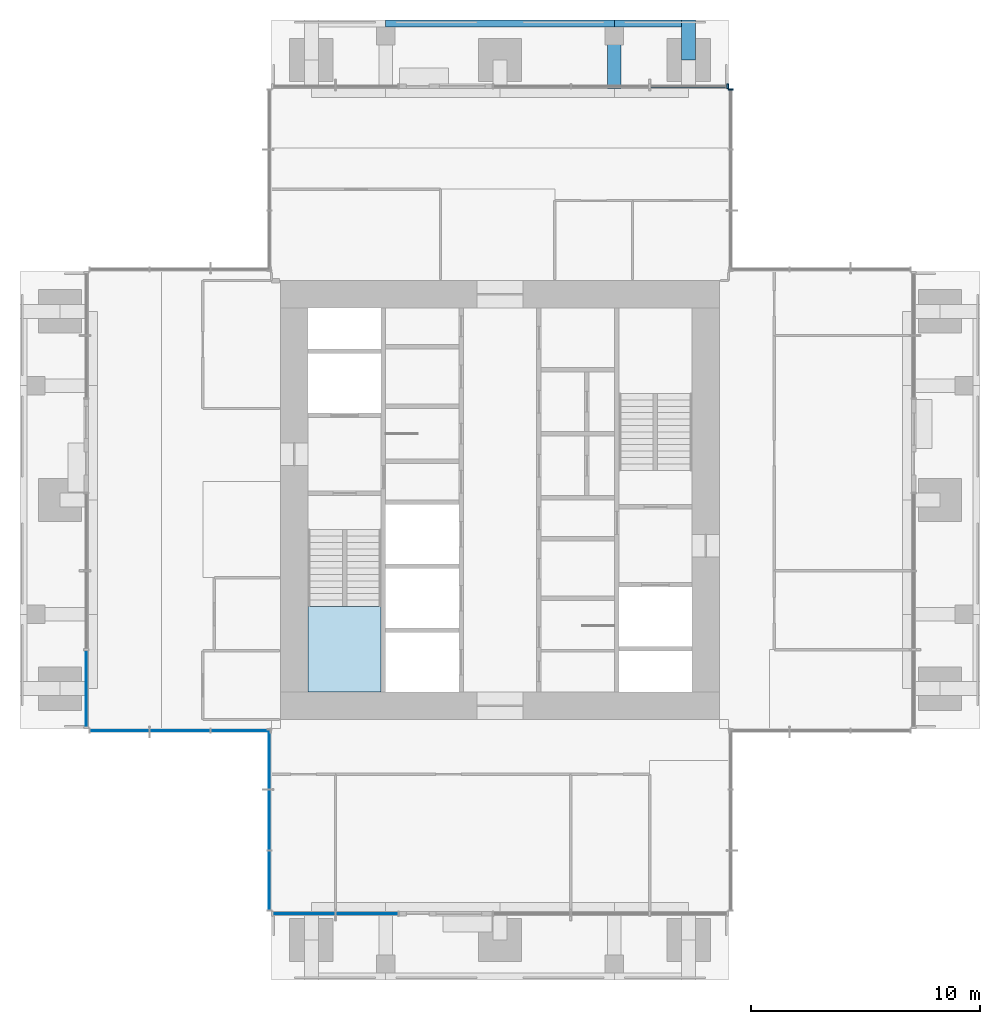
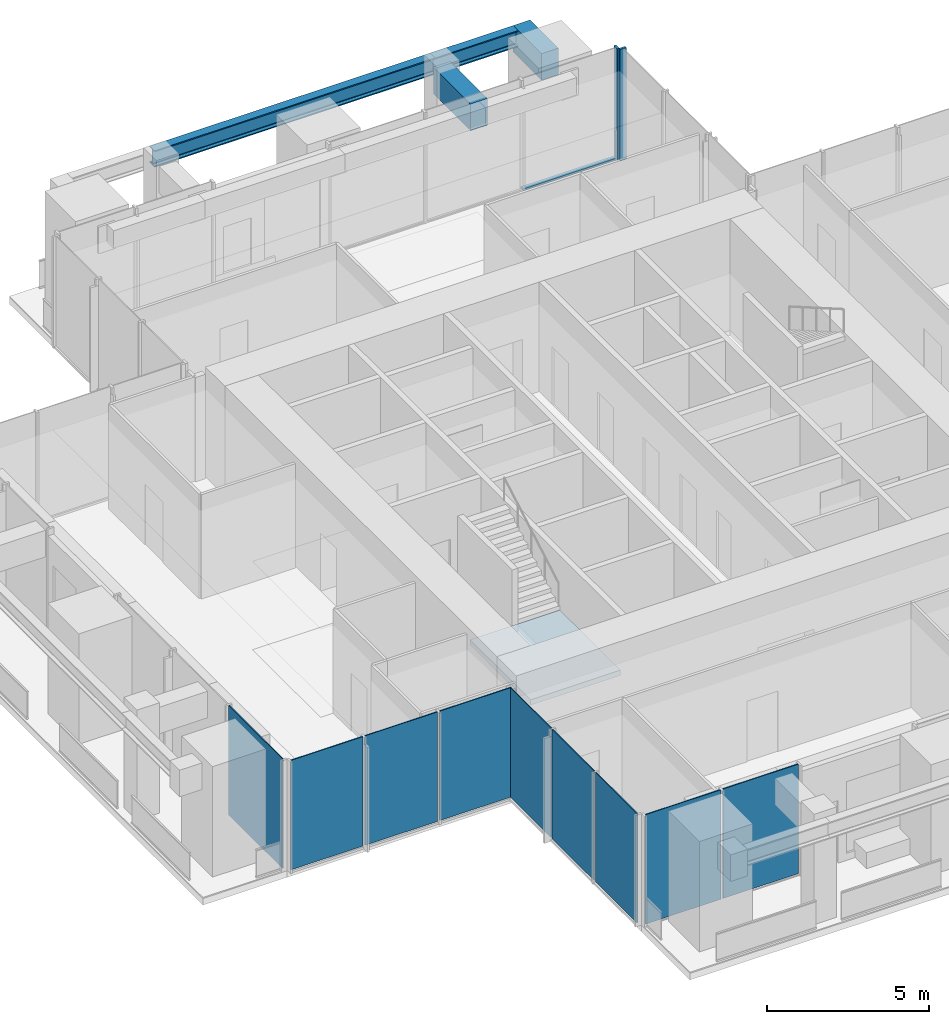
# One storey, part 5 of 12: 9 plates, 4 beams, 3 members, 1 slab, 7 elements without a shape of their own.
"""IFC4 building model written with IfcOpenShell, lengths in metres."""

from ifc_helpers import new_model, si_unit, direction, frame, origin, origin_2d, place, context, subcontext, project, spatial, polyline, rectangle, i_section, outline, extrude, material, layer, layer_set, material_profile, profile_set, type_object, element, aggregate, save


model = new_model("IFC4")

# Units and contexts
model_context = context("Model", 3, precision=1e-05, world=origin(), true_north=direction((0.0, 1.0)))
body_context = subcontext(model_context, "Body", "Model", "MODEL_VIEW")
ifc_project = project(units=[si_unit("LENGTHUNIT", "METRE"), si_unit("AREAUNIT", "SQUARE_METRE"), si_unit("VOLUMEUNIT", "CUBIC_METRE"), si_unit("PLANEANGLEUNIT", "RADIAN"), si_unit("MASSUNIT", "GRAM", prefix="KILO")], contexts=[model_context])

# Site, building, storey
site_placement = place(None, origin())
site = spatial("IfcSite", under=ifc_project, at=site_placement, CompositionType="ELEMENT")
building_placement = place(site_placement, origin())
building = spatial("IfcBuilding", under=site, at=building_placement, Name="Svetlomir Tower", CompositionType="ELEMENT")
storey_placement = place(building_placement, frame((0.0, 0.0, 248.199951171875)))
storey = spatial("IfcBuildingStorey", under=building, at=storey_placement, Name="L59", CompositionType="ELEMENT", Elevation=248.199951171875)

# Curtain wall, member
ifc_material_1 = material(Name="Bronze anodised aluminium curtain wall", Category="aluminium")
curtain_wall_type = type_object("IfcCurtainWallType", Name="CURTAIN WALL CW4 EXECUTIVE", PredefinedType="NOTDEFINED", material=ifc_material_1)
curtain_wall_1_placement = place(storey_placement, origin())
curtain_wall_1 = element("IfcCurtainWall", 1, at=curtain_wall_1_placement, inside=storey, type_object=curtain_wall_type, Name="Curtain wall CW4 L59", PredefinedType="NOTDEFINED")
ifc_material_2 = material(Name="Bronze anodised aluminium", Category="aluminium")
ifc_material_profile_1 = material_profile(ifc_material_2, rectangle(XDim=0.074951171875, YDim=0.219970703125, at=origin_2d()), Name="AL 75x220")
ifc_profile_set_1 = profile_set([ifc_material_profile_1], Name="Bronze anodised aluminium 6063-T6")
member_type_1 = type_object("IfcMemberType", Name="CW4 MULLION 75x220", PredefinedType="MULLION", material=ifc_profile_set_1)
member_1_placement = place(storey_placement, frame((31.10009765625, 38.96240234375, 0.0), z_axis=(0.0, 0.0, 1.0), x_axis=(0.0, 1.0, 0.0)))
member_1 = element("IfcMember", 2, at=member_1_placement, type_object=member_type_1, Name="CW4 mullion 4", PredefinedType="MULLION", context=body_context, shape_type="SweptSolid", body=[
    extrude(rectangle(XDim=0.074951171875, YDim=0.219970703125, at=origin_2d()), origin(), (0.0, 0.0, 1.0), 4.199951171875),
])
aggregate(curtain_wall_1, [member_1])

# Curtain wall, members
curtain_wall_2_placement = place(storey_placement, origin())
curtain_wall_2 = element("IfcCurtainWall", 3, at=curtain_wall_2_placement, inside=storey, type_object=curtain_wall_type, Name="Curtain wall CW4 L59", PredefinedType="NOTDEFINED")
member_2_placement = place(storey_placement, frame((30.96240234375, 39.10009765625, 0.0), z_axis=(0.0, 0.0, 1.0), x_axis=(-1.0, 0.0, 0.0)))
member_2 = element("IfcMember", 4, at=member_2_placement, type_object=member_type_1, Name="CW4 mullion 1", PredefinedType="MULLION", context=body_context, shape_type="SweptSolid", body=[
    extrude(rectangle(XDim=0.074951171875, YDim=0.219970703125, at=origin_2d()), origin(), (0.0, 0.0, 1.0), 4.199951171875),
])
ifc_material_3 = material(Name="Bronze anodised aluminium", Category="aluminium")
ifc_material_profile_2 = material_profile(ifc_material_3, rectangle(XDim=0.14990234375, YDim=0.074951171875, at=origin_2d()), Name="AL 150x75")
ifc_profile_set_2 = profile_set([ifc_material_profile_2], Name="Bronze anodised aluminium 6063-T6")
member_type_2 = type_object("IfcMemberType", Name="CW4 TRANSOM 75x150", PredefinedType="USERDEFINED", material=ifc_profile_set_2)
member_3_placement = place(storey_placement, frame((30.925048828125, 39.10009765625, 0.03759765625), z_axis=(-1.0, 0.0, 0.0), x_axis=(0.0, -1.0, 0.0)))
member_3 = element("IfcMember", 5, at=member_3_placement, type_object=member_type_2, Name="CW4 transom 1.1", ObjectType="TRANSOM", PredefinedType="USERDEFINED", context=body_context, shape_type="SweptSolid", body=[
    extrude(rectangle(XDim=0.14990234375, YDim=0.074951171875, at=origin_2d()), origin(), (0.0, 0.0, 1.0), 3.337646484375),
])
aggregate(curtain_wall_2, [member_2, member_3])

# Beams
ifc_material_4 = material(Name="Steel S355", Category="steel")
ifc_material_profile_3 = material_profile(ifc_material_4, i_section(OverallWidth=0.304931640625, OverallDepth=0.6201171875, WebThickness=0.02099609375, FlangeThickness=0.0400390625, FilletRadius=0.027099609375, at=origin_2d()), Name="HEM 600")
ifc_profile_set_3 = profile_set([ifc_material_profile_3], Name="Steel S355")
beam_type_1 = type_object("IfcBeamType", Name="EDGE BEAM HEM 600", PredefinedType="SPANDREL", material=ifc_profile_set_3)
beam_1_placement = place(storey_placement, frame((16.0, 41.847412109375, 3.64013671875), z_axis=(1.0, 0.0, 0.0), x_axis=(0.0, 1.0, 0.0)))
element("IfcBeam", 6, at=beam_1_placement, inside=storey, type_object=beam_type_1, Name="Edge beam 16/42 to 26/42 under L60", PredefinedType="SPANDREL", context=body_context, shape_type="SweptSolid", body=[
    extrude(i_section(OverallWidth=0.304931640625, OverallDepth=0.6201171875, WebThickness=0.02099609375, FlangeThickness=0.0400390625, FilletRadius=0.027099609375, at=origin_2d()), origin(), (0.0, 0.0, 1.0), 10.0),
])
beam_2_placement = place(storey_placement, frame((26.0, 41.847412109375, 3.64013671875), z_axis=(1.0, 0.0, 0.0), x_axis=(0.0, 1.0, 0.0)))
element("IfcBeam", 7, at=beam_2_placement, inside=storey, type_object=beam_type_1, Name="Edge beam 26/42 to 31/42 under L60", PredefinedType="SPANDREL", context=body_context, shape_type="SweptSolid", body=[
    extrude(i_section(OverallWidth=0.304931640625, OverallDepth=0.6201171875, WebThickness=0.02099609375, FlangeThickness=0.0400390625, FilletRadius=0.027099609375, at=origin_2d()), origin(), (0.0, 0.0, 1.0), 2.949951171875),
])
ifc_material_5 = material(Name="Concrete C60/75", Category="concrete")
ifc_material_profile_4 = material_profile(ifc_material_5, rectangle(XDim=0.60009765625, YDim=1.0, at=origin_2d()), Name="RC 600x1000")
ifc_profile_set_4 = profile_set([ifc_material_profile_4], Name="Concrete C60/75")
beam_type_2 = type_object("IfcBeamType", Name="EDGE LINK BEAM RC 600x1000", PredefinedType="BEAM", material=ifc_profile_set_4)
beam_3_placement = place(storey_placement, frame((29.25, 40.25, 3.449951171875), z_axis=(0.0, 1.0, 0.0), x_axis=(-1.0, 0.0, 0.0)))
element("IfcBeam", 8, at=beam_3_placement, inside=storey, type_object=beam_type_2, Name="Edge link beam N 31/42 under L60", PredefinedType="BEAM", context=body_context, shape_type="SweptSolid", body=[
    extrude(rectangle(XDim=0.60009765625, YDim=1.0, at=origin_2d()), origin(), (0.0, 0.0, 1.0), 1.75),
])
ifc_material_6 = material(Name="Concrete C60/75", Category="concrete")
ifc_material_profile_5 = material_profile(ifc_material_6, rectangle(XDim=0.60009765625, YDim=1.0, at=origin_2d()), Name="RC 600x1000")
ifc_profile_set_5 = profile_set([ifc_material_profile_5], Name="Concrete C60/75")
beam_type_3 = type_object("IfcBeamType", Name="LOGGIA LINK BEAM RC 600x1000", PredefinedType="BEAM", material=ifc_profile_set_5)
beam_4_placement = place(storey_placement, frame((26.0, 41.300048828125, 3.449951171875), z_axis=(0.0, -1.0, 0.0), x_axis=(1.0, 0.0, 0.0)))
element("IfcBeam", 9, at=beam_4_placement, inside=storey, type_object=beam_type_3, Name="Loggia link beam N 26 under L60", PredefinedType="BEAM", context=body_context, shape_type="SweptSolid", body=[
    extrude(rectangle(XDim=0.60009765625, YDim=1.0, at=origin_2d()), origin(), (0.0, 0.0, 1.0), 2.300048828125),
])

# Curtain wall, plates
curtain_wall_3_placement = place(storey_placement, origin())
curtain_wall_3 = element("IfcCurtainWall", 10, at=curtain_wall_3_placement, inside=storey, type_object=curtain_wall_type, Name="Curtain wall CW4 L59", PredefinedType="NOTDEFINED")
ifc_material_7 = material(Name="Tinted double glazed unit", Category="glass")
ifc_layer_1 = layer(ifc_material_7, 0.035888671875)
ifc_layer_set_1 = layer_set([ifc_layer_1], Name="Tinted double glazed unit")
plate_type = type_object("IfcPlateType", Name="CW4 GLAZED PANEL 36", PredefinedType="CURTAIN_PANEL", material=ifc_layer_set_1)
plate_1_placement = place(storey_placement, frame((12.418701171875, 2.89990234375, 0.074951171875), z_axis=(0.0, 0.0, 1.0), x_axis=(1.0, 0.0, 0.0)))
plate_1 = element("IfcPlate", 11, at=plate_1_placement, type_object=plate_type, Name="CW4 panel 1.1", PredefinedType="CURTAIN_PANEL", context=body_context, shape_type="SweptSolid", body=[
    extrude(rectangle(XDim=2.6875, YDim=0.035888671875, at=origin_2d()), origin(), (0.0, 0.0, 1.0), 4.125),
])
plate_2_placement = place(storey_placement, frame((15.18115234375, 2.89990234375, 0.074951171875), z_axis=(0.0, 0.0, 1.0), x_axis=(1.0, 0.0, 0.0)))
plate_2 = element("IfcPlate", 12, at=plate_2_placement, type_object=plate_type, Name="CW4 panel 2.1", PredefinedType="CURTAIN_PANEL", context=body_context, shape_type="SweptSolid", body=[
    extrude(rectangle(XDim=2.6875, YDim=0.035888671875, at=origin_2d()), origin(), (0.0, 0.0, 1.0), 4.125),
])
aggregate(curtain_wall_3, [plate_1, plate_2])

# Curtain wall, plate
curtain_wall_4_placement = place(storey_placement, origin())
curtain_wall_4 = element("IfcCurtainWall", 13, at=curtain_wall_4_placement, inside=storey, type_object=curtain_wall_type, Name="Curtain wall CW4 L59", PredefinedType="NOTDEFINED")
plate_3_placement = place(storey_placement, frame((2.89990234375, 12.74365234375, 0.074951171875), z_axis=(0.0, 0.0, 1.0), x_axis=(0.0, -1.0, 0.0)))
plate_3 = element("IfcPlate", 14, at=plate_3_placement, type_object=plate_type, Name="CW4 panel 3.1", PredefinedType="CURTAIN_PANEL", context=body_context, shape_type="SweptSolid", body=[
    extrude(rectangle(XDim=3.33740234375, YDim=0.035888671875, at=origin_2d()), origin(), (0.0, 0.0, 1.0), 4.125),
])
aggregate(curtain_wall_4, [plate_3])

# Curtain wall, plates
curtain_wall_5_placement = place(storey_placement, origin())
curtain_wall_5 = element("IfcCurtainWall", 15, at=curtain_wall_5_placement, inside=storey, type_object=curtain_wall_type, Name="Curtain wall CW4 L59", PredefinedType="NOTDEFINED")
plate_4_placement = place(storey_placement, frame((4.35205078125, 10.89990234375, 0.074951171875), z_axis=(0.0, 0.0, 1.0), x_axis=(1.0, 0.0, 0.0)))
plate_4 = element("IfcPlate", 16, at=plate_4_placement, type_object=plate_type, Name="CW4 panel 1.1", PredefinedType="CURTAIN_PANEL", context=body_context, shape_type="SweptSolid", body=[
    extrude(rectangle(XDim=2.55419921875, YDim=0.035888671875, at=origin_2d()), origin(), (0.0, 0.0, 1.0), 4.125),
])
plate_5_placement = place(storey_placement, frame((7.0, 10.89990234375, 0.074951171875), z_axis=(0.0, 0.0, 1.0), x_axis=(1.0, 0.0, 0.0)))
plate_5 = element("IfcPlate", 17, at=plate_5_placement, type_object=plate_type, Name="CW4 panel 2.1", PredefinedType="CURTAIN_PANEL", context=body_context, shape_type="SweptSolid", body=[
    extrude(rectangle(XDim=2.591552734375, YDim=0.035888671875, at=origin_2d()), origin(), (0.0, 0.0, 1.0), 4.125),
])
plate_6_placement = place(storey_placement, frame((9.64794921875, 10.89990234375, 0.074951171875), z_axis=(0.0, 0.0, 1.0), x_axis=(1.0, 0.0, 0.0)))
plate_6 = element("IfcPlate", 18, at=plate_6_placement, type_object=plate_type, Name="CW4 panel 3.1", PredefinedType="CURTAIN_PANEL", context=body_context, shape_type="SweptSolid", body=[
    extrude(rectangle(XDim=2.55419921875, YDim=0.035888671875, at=origin_2d()), origin(), (0.0, 0.0, 1.0), 4.125),
])
aggregate(curtain_wall_5, [plate_4, plate_5, plate_6])

curtain_wall_6_placement = place(storey_placement, origin())
curtain_wall_6 = element("IfcCurtainWall", 19, at=curtain_wall_6_placement, inside=storey, type_object=curtain_wall_type, Name="Curtain wall CW4 L59", PredefinedType="NOTDEFINED")
plate_7_placement = place(storey_placement, frame((10.89990234375, 9.64794921875, 0.074951171875), z_axis=(0.0, 0.0, 1.0), x_axis=(0.0, -1.0, 0.0)))
plate_7 = element("IfcPlate", 20, at=plate_7_placement, type_object=plate_type, Name="CW4 panel 1.1", PredefinedType="CURTAIN_PANEL", context=body_context, shape_type="SweptSolid", body=[
    extrude(rectangle(XDim=2.55419921875, YDim=0.035888671875, at=origin_2d()), origin(), (0.0, 0.0, 1.0), 4.125),
])
plate_8_placement = place(storey_placement, frame((10.89990234375, 7.0, 0.074951171875), z_axis=(0.0, 0.0, 1.0), x_axis=(0.0, -1.0, 0.0)))
plate_8 = element("IfcPlate", 21, at=plate_8_placement, type_object=plate_type, Name="CW4 panel 2.1", PredefinedType="CURTAIN_PANEL", context=body_context, shape_type="SweptSolid", body=[
    extrude(rectangle(XDim=2.591552734375, YDim=0.035888671875, at=origin_2d()), origin(), (0.0, 0.0, 1.0), 4.125),
])
plate_9_placement = place(storey_placement, frame((10.89990234375, 4.35205078125, 0.074951171875), z_axis=(0.0, 0.0, 1.0), x_axis=(0.0, -1.0, 0.0)))
plate_9 = element("IfcPlate", 22, at=plate_9_placement, type_object=plate_type, Name="CW4 panel 3.1", PredefinedType="CURTAIN_PANEL", context=body_context, shape_type="SweptSolid", body=[
    extrude(rectangle(XDim=2.55419921875, YDim=0.035888671875, at=origin_2d()), origin(), (0.0, 0.0, 1.0), 4.125),
])
aggregate(curtain_wall_6, [plate_7, plate_8, plate_9])

# Stair, slab
ifc_material_8 = material(Name="Concrete C60/75", Category="concrete")
stair_type = type_object("IfcStairType", Name="EXIT STAIR 3200 RISE 4200", PredefinedType="HALF_TURN_STAIR", material=ifc_material_8)
stair_placement = place(storey_placement, origin())
stair = element("IfcStair", 23, at=stair_placement, inside=storey, type_object=stair_type, Name="Stair S1 L59 to L60", PredefinedType="HALF_TURN_STAIR")
ifc_material_9 = material(Name="Concrete C60/75", Category="concrete")
ifc_layer_2 = layer(ifc_material_9, 0.199951171875)
ifc_layer_set_2 = layer_set([ifc_layer_2], Name="Concrete C60/75")
slab_type = type_object("IfcSlabType", Name="STAIR LANDING 200", PredefinedType="LANDING", material=ifc_layer_set_2)
slab_placement = place(storey_placement, frame((0.0, 0.0, 1.900146484375)))
slab = element("IfcSlab", 24, at=slab_placement, type_object=slab_type, Name="S1 landing 1", PredefinedType="LANDING", context=body_context, shape_type="SweptSolid", body=[
    extrude(outline(polyline([(12.60009765625, 12.60009765625), (15.800048828125, 12.60009765625), (15.800048828125, 16.340087890625), (12.60009765625, 16.340087890625), (12.60009765625, 12.60009765625)])), origin(), (0.0, 0.0, 1.0), 0.199951171875),
])
aggregate(stair, [slab])

save(model, "model.ifc")
